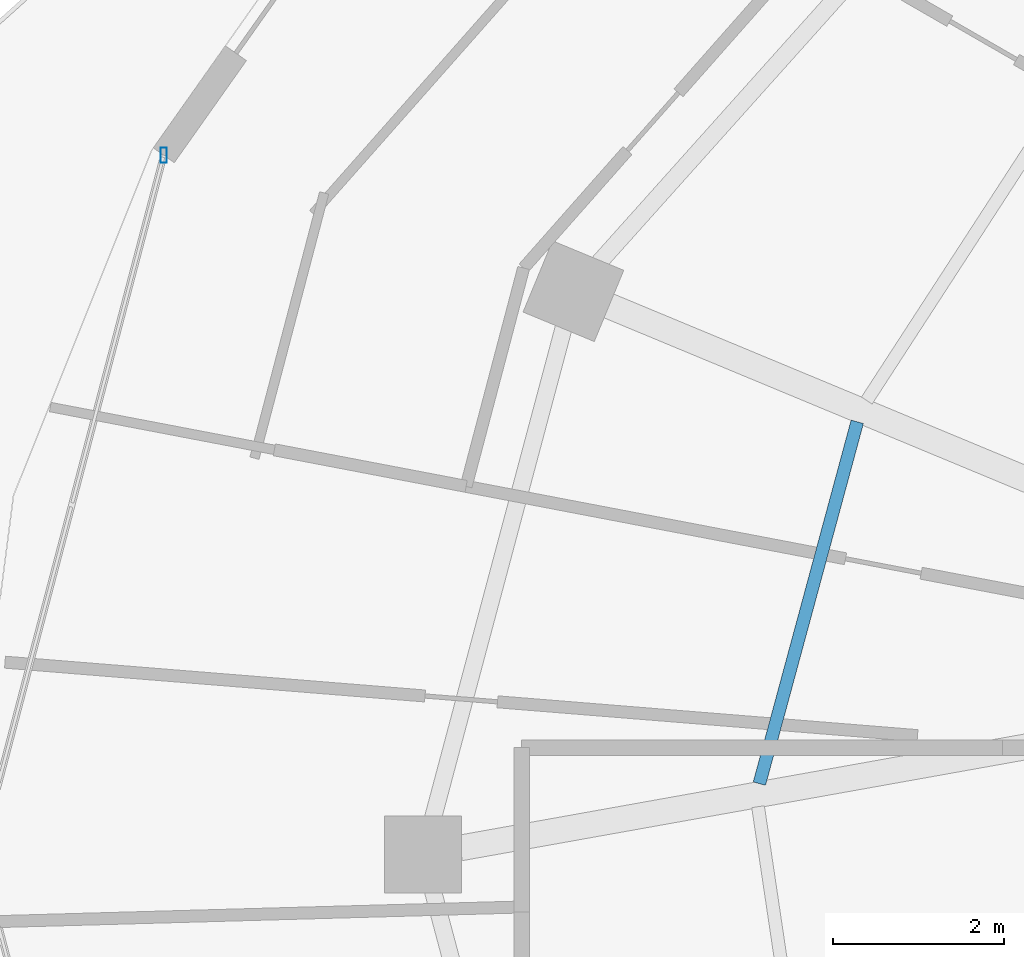
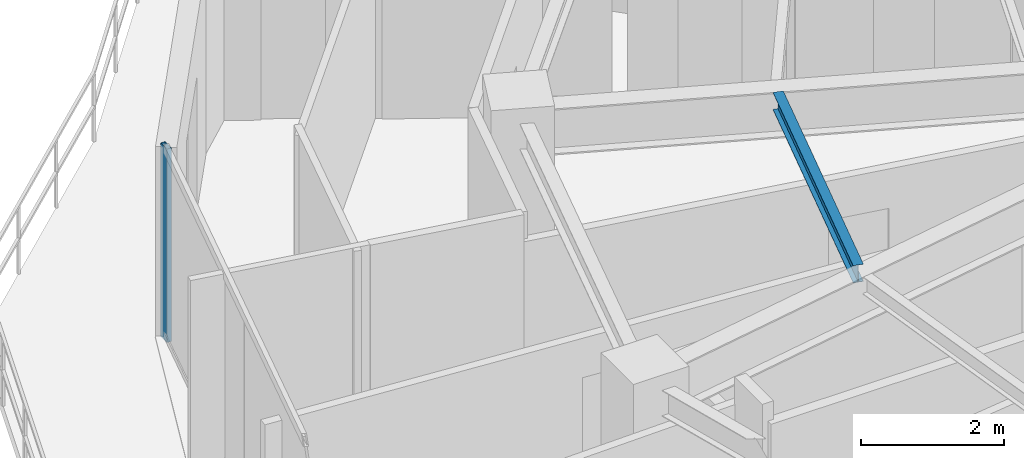
# One storey, part 9 of 31: 1 beam, 1 member, 1 element without a shape of its own.
"""IFC4 building model written with IfcOpenShell, lengths in metres."""

from ifc_helpers import new_model, si_unit, direction, frame, origin, origin_2d, place, context, subcontext, project, spatial, hollow_rectangle, i_section, extrude, material, material_profile, profile_set, type_object, element, aggregate, save


model = new_model("IFC4")

# Units and contexts
model_context = context("Model", 3, precision=1e-05, world=origin(), true_north=direction((0.0, 1.0)))
body_context = subcontext(model_context, "Body", "Model", "MODEL_VIEW")
ifc_project = project(units=[si_unit("LENGTHUNIT", "METRE"), si_unit("AREAUNIT", "SQUARE_METRE"), si_unit("VOLUMEUNIT", "CUBIC_METRE"), si_unit("PLANEANGLEUNIT", "RADIAN"), si_unit("MASSUNIT", "GRAM", prefix="KILO")], contexts=[model_context])

# Site, building, storey
site_placement = place(None, origin())
site = spatial("IfcSite", under=ifc_project, at=site_placement, CompositionType="ELEMENT")
building_placement = place(site_placement, origin())
building = spatial("IfcBuilding", under=site, at=building_placement, Name="Vorneva Point Tower", CompositionType="ELEMENT")
storey_placement = place(building_placement, frame((0.0, 0.0, 193.10009765625)))
storey = spatial("IfcBuildingStorey", under=building, at=storey_placement, Name="L52", CompositionType="ELEMENT", Elevation=193.10009765625)

# Beam
ifc_material_1 = material(Name="Steel S355", Category="steel")
ifc_material_profile_1 = material_profile(ifc_material_1, i_section(OverallWidth=0.14892578125, OverallDepth=0.298095703125, WebThickness=0.005615234375, FlangeThickness=0.008056640625, at=origin_2d()), Name="30B1")
ifc_profile_set_1 = profile_set([ifc_material_profile_1], Name="Steel S355")
beam_type = type_object("IfcBeamType", Name="BM-JST-30B1", PredefinedType="JOIST", material=ifc_profile_set_1)
beam_placement = place(storey_placement, frame((20.02099609375, 31.055908203125, 3.0908203125), z_axis=(-0.26115898647, -0.965295801185, 0.0), x_axis=(0.965295801185, -0.26115898647, 0.0)))
element("IfcBeam", 1, at=beam_placement, inside=storey, type_object=beam_type, Name="L52 Secondary Floor Beam 1.08", PredefinedType="JOIST", context=body_context, shape_type="SweptSolid", body=[
    extrude(i_section(OverallWidth=0.14892578125, OverallDepth=0.298095703125, WebThickness=0.005615234375, FlangeThickness=0.008056640625, at=origin_2d()), origin(), (0.0, 0.0, 1.0), 4.378662109375),
])

# Curtain wall, member
ifc_material_2 = material(Name="Pale anodised aluminium", Category="aluminium")
curtain_wall_type = type_object("IfcCurtainWallType", Name="CW-RES-SYS", PredefinedType="NOTDEFINED", material=ifc_material_2)
curtain_wall_placement = place(storey_placement, origin())
curtain_wall = element("IfcCurtainWall", 2, at=curtain_wall_placement, inside=storey, type_object=curtain_wall_type, Name="L52 Unitised Curtain Wall CW-L52-R03", PredefinedType="NOTDEFINED")
ifc_material_profile_2 = material_profile(ifc_material_2, hollow_rectangle(XDim=0.074951171875, YDim=0.179931640625, WallThickness=0.00390625, at=origin_2d()), Name="AL-MUL 180x75x4")
ifc_profile_set_2 = profile_set([ifc_material_profile_2], Name="Pale anodised aluminium")
member_type = type_object("IfcMemberType", Name="CW-MUL-180", PredefinedType="MULLION", material=ifc_profile_set_2)
member_placement = place(storey_placement, frame((11.9189453125, 34.17041015625, -0.0400390625), z_axis=(0.0, 0.0, 1.0), x_axis=(1.0, 0.0, 0.0)))
member = element("IfcMember", 3, at=member_placement, type_object=member_type, Name="CW-L52-R03 Mullion 01", PredefinedType="MULLION", context=body_context, shape_type="SweptSolid", body=[
    extrude(hollow_rectangle(XDim=0.074951171875, YDim=0.179931640625, WallThickness=0.00390625, at=origin_2d()), origin(), (0.0, 0.0, 1.0), 3.31005859375),
])
aggregate(curtain_wall, [member])

save(model, "model.ifc")
